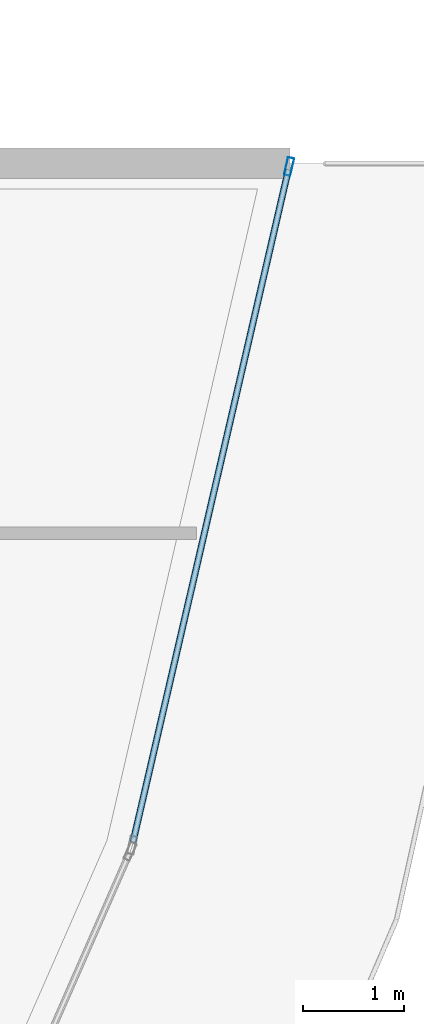
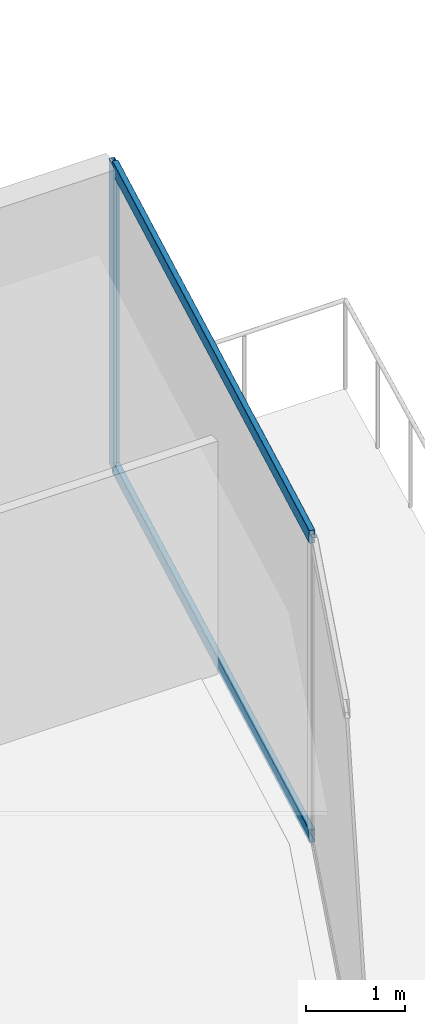
# One storey, part 26 of 44: 3 members, 1 element without a shape of its own.
"""IFC4 building model written with IfcOpenShell, lengths in metres."""

import ifcopenshell
import ifcopenshell.guid

model = None  # the IFC model being written
_history = None  # IfcOwnerHistory: only IFC2X3 demands one
_inside = {}  # id of a spatial element -> (the spatial element, [elements in it])
_under = {}  # id of a project, library or spatial element -> (it, [spatial elements below it])
_declared = {}  # id of a project -> (the project, [libraries it declares])
_typed = {}  # id of a type object -> (the type object, [elements of that type])
_made_of = {}  # id of a material, layer set ... -> (it, [elements and type objects made of it])


def new_model(schema):
    """Start an empty IFC model of exactly this schema.

    Asked for "IFC4X3", IfcOpenShell would pick the latest addendum, in which some entities
    have other attributes; the version numbers below select the first issue.
    IFC2X3 requires an IfcOwnerHistory on every rooted entity: one is made here for all.
    """
    global model, _history
    if schema == "IFC4X3":
        model = ifcopenshell.file(schema_version=(4, 3, 0, 0))
    else:
        model = ifcopenshell.file(schema=schema)
    _inside.clear()
    _under.clear()
    _declared.clear()
    _typed.clear()
    _made_of.clear()
    _history = None
    if model.schema == "IFC2X3":
        org = make("IfcOrganization", Name="unknown")
        user = make(
            "IfcPersonAndOrganization",
            ThePerson=make("IfcPerson", FamilyName="unknown"),
            TheOrganization=org,
        )
        app = make(
            "IfcApplication",
            ApplicationDeveloper=org,
            Version="unknown",
            ApplicationFullName="unknown",
            ApplicationIdentifier="unknown",
        )
        _history = make(
            "IfcOwnerHistory",
            OwningUser=user,
            OwningApplication=app,
            ChangeAction="ADDED",
            CreationDate=0,
        )
    return model


def make(cls, **values):
    """One entity of the class cls with the attributes given. An attribute that is None is left unset."""
    return model.create_entity(
        cls, **{name: value for name, value in values.items() if value is not None}
    )


def rooted(cls, **values):
    """An entity with a GlobalId (a new one), such as an element, a storey or a relation."""
    return make(cls, GlobalId=ifcopenshell.guid.new(), OwnerHistory=_history, **values)


def si_unit(unit_type, name, prefix=None):
    """IfcSIUnit, for example si_unit("LENGTHUNIT", "METRE", prefix="MILLI")."""
    return make("IfcSIUnit", UnitType=unit_type, Prefix=prefix, Name=name)


def assignment(units):
    """IfcUnitAssignment: the units of a project."""
    return None if units is None else make("IfcUnitAssignment", Units=units)


def point(xyz):
    """IfcCartesianPoint."""
    return None if xyz is None else make("IfcCartesianPoint", Coordinates=xyz)


def direction(xyz):
    """IfcDirection."""
    return None if xyz is None else make("IfcDirection", DirectionRatios=xyz)


def frame(location, z_axis=None, x_axis=None):
    """IfcAxis2Placement3D, a coordinate frame: its origin and axes. An axis left out is left unset."""
    return make(
        "IfcAxis2Placement3D",
        Location=point(location),
        Axis=direction(z_axis),
        RefDirection=direction(x_axis),
    )


def frame_2d(location, x_axis=None):
    """IfcAxis2Placement2D, a coordinate frame in the plane: its origin and x axis."""
    return make(
        "IfcAxis2Placement2D", Location=point(location), RefDirection=direction(x_axis)
    )


def origin():
    """The frame at (0, 0, 0) with its axes left unset."""
    return frame((0.0, 0.0, 0.0))


def origin_2d():
    """The frame at (0, 0) in the plane with its x axis left unset."""
    return frame_2d((0.0, 0.0))


def place(relative_to, where):
    """IfcLocalPlacement: puts the frame where relative to a parent placement (None: the world)."""
    return make(
        "IfcLocalPlacement", PlacementRelTo=relative_to, RelativePlacement=where
    )


def context(
    kind, dimensions, precision=None, world=None, true_north=None, identifier=None
):
    """IfcGeometricRepresentationContext, for example the 3D "Model" context."""
    return make(
        "IfcGeometricRepresentationContext",
        ContextIdentifier=identifier,
        ContextType=kind,
        CoordinateSpaceDimension=dimensions,
        Precision=precision,
        WorldCoordinateSystem=world,
        TrueNorth=true_north,
    )


def subcontext(parent, identifier, kind, view, scale=None):
    """IfcGeometricRepresentationSubContext, for example "Body" below "Model"."""
    return make(
        "IfcGeometricRepresentationSubContext",
        ContextIdentifier=identifier,
        ContextType=kind,
        ParentContext=parent,
        TargetScale=scale,
        TargetView=view,
    )


def project(units=None, contexts=None):
    """IfcProject with its units and contexts."""
    return rooted(
        "IfcProject",
        Name="project",
        RepresentationContexts=contexts,
        UnitsInContext=assignment(units),
    )


def spatial(cls, under=None, at=None, **own):
    """A site, building, storey or space (cls), placed at a placement, below another one or the project."""
    s = rooted(cls, ObjectPlacement=at, **own)
    if under is not None:
        _under.setdefault(under.id(), (under, []))[1].append(s)
    return s


def profile(cls, at=None, kind="AREA", **sizes):
    """A parametric profile (cls). Its sizes go by their IFC names, for example OverallWidth=200.0."""
    return make(cls, ProfileType=kind, Position=at, **sizes)


def hollow_rectangle(**sizes):
    """IfcRectangleHollowProfileDef."""
    return profile("IfcRectangleHollowProfileDef", **sizes)


def extrude(swept, where, along, depth):
    """IfcExtrudedAreaSolid: the profile swept, set in the frame where, extruded along a direction by depth."""
    return make(
        "IfcExtrudedAreaSolid",
        SweptArea=swept,
        Position=where,
        ExtrudedDirection=direction(along),
        Depth=depth,
    )


def shape(context_of_items, identifier, shape_type, items):
    """IfcShapeRepresentation: the items that make up one representation, for example the "Body"."""
    return make(
        "IfcShapeRepresentation",
        ContextOfItems=context_of_items,
        RepresentationIdentifier=identifier,
        RepresentationType=shape_type,
        Items=items,
    )


def material(Name=None, Category=None):
    """IfcMaterial."""
    return make("IfcMaterial", Name=Name, Category=Category)


def layer(
    of_material, thickness, ventilated=None, Name=None, Category=None, Priority=None
):
    """IfcMaterialLayer: one layer of a wall or slab, of a material (None: an air gap)."""
    return make(
        "IfcMaterialLayer",
        Material=of_material,
        LayerThickness=thickness,
        IsVentilated=ventilated,
        Name=Name,
        Category=Category,
        Priority=Priority,
    )


def layer_set(layers, Name=None):
    """IfcMaterialLayerSet."""
    return make("IfcMaterialLayerSet", MaterialLayers=layers, LayerSetName=Name)


def material_profile(
    of_material, cross_section, Name=None, Category=None, Priority=None
):
    """IfcMaterialProfile: a cross section and its material."""
    return make(
        "IfcMaterialProfile",
        Name=Name,
        Material=of_material,
        Profile=cross_section,
        Priority=Priority,
        Category=Category,
    )


def profile_set(profiles, Name=None, composite=None):
    """IfcMaterialProfileSet."""
    return make(
        "IfcMaterialProfileSet",
        Name=Name,
        MaterialProfiles=profiles,
        CompositeProfile=composite,
    )


def made_of(thing, what):
    """Note that an element or type object is made of a material, layer set ...; save() writes the relation."""
    if what is not None:
        _made_of.setdefault(what.id(), (what, []))[1].append(thing)
    return thing


def type_object(cls, material=None, **own):
    """A type object (cls), such as IfcWallType, which elements share."""
    return made_of(rooted(cls, **own), material)


def element(
    cls,
    number,
    at=None,
    inside=None,
    cuts=None,
    type_object=None,
    material=None,
    context=None,
    identifier="Body",
    shape_type=None,
    held_by="IfcProductDefinitionShape",
    body=None,
    shapes=None,
    **own,
):
    """One element of the class cls, such as IfcWall. Its Tag is "e" and its number.

    at: its placement. inside: the storey or other place that contains it. cuts: it is an
    opening in that element (IfcRelVoidsElement). A single representation is given by context,
    identifier, shape_type and body (its items); several are given by shapes. held_by: the class
    of the entity that holds the representations. save() writes the other relations.
    """
    e = rooted(cls, Tag="e%d" % number, ObjectPlacement=at, **own)
    if body is not None:
        shapes = [shape(context, identifier, shape_type, body)]
    if shapes is not None:
        e.Representation = make(held_by, Representations=shapes)
    if inside is not None:
        _inside.setdefault(inside.id(), (inside, []))[1].append(e)
    if cuts is not None:
        rooted(
            "IfcRelVoidsElement", RelatingBuildingElement=cuts, RelatedOpeningElement=e
        )
    if type_object is not None:
        _typed.setdefault(type_object.id(), (type_object, []))[1].append(e)
    return made_of(e, material)


def aggregate(whole, parts):
    """IfcRelAggregates: a whole, such as a stair, and the parts it consists of."""
    return rooted("IfcRelAggregates", RelatingObject=whole, RelatedObjects=parts)


def save(model, path):
    """Write the relations noted so far, then the file.

    IfcRelAggregates (storeys below a building ...), IfcRelContainedInSpatialStructure (elements
    in a storey), IfcRelDefinesByType, IfcRelAssociatesMaterial and IfcRelDeclares: one each for
    every whole, place, type object, material and project.
    """
    for whole, parts in _under.values():
        aggregate(whole, parts)
    for where, things in _inside.values():
        rooted(
            "IfcRelContainedInSpatialStructure",
            RelatedElements=things,
            RelatingStructure=where,
        )
    for kind, things in _typed.values():
        rooted("IfcRelDefinesByType", RelatedObjects=things, RelatingType=kind)
    for what, things in _made_of.values():
        rooted("IfcRelAssociatesMaterial", RelatedObjects=things, RelatingMaterial=what)
    for by, libraries in _declared.values():
        rooted("IfcRelDeclares", RelatingContext=by, RelatedDefinitions=libraries)
    model.write(path)


model = new_model("IFC4")

# Units and contexts
model_context = context("Model", 3, precision=1e-05, world=origin(), true_north=direction((0.0, 1.0)))
body_context = subcontext(model_context, "Body", "Model", "MODEL_VIEW")
ifc_project = project(units=[si_unit("LENGTHUNIT", "METRE"), si_unit("AREAUNIT", "SQUARE_METRE"), si_unit("VOLUMEUNIT", "CUBIC_METRE"), si_unit("PLANEANGLEUNIT", "RADIAN"), si_unit("MASSUNIT", "GRAM", prefix="KILO")], contexts=[model_context])

# Site, building, storey
site_placement = place(None, origin())
site = spatial("IfcSite", under=ifc_project, at=site_placement, CompositionType="ELEMENT")
building_placement = place(site_placement, origin())
building = spatial("IfcBuilding", under=site, at=building_placement, Name="Qorvath Tower", CompositionType="ELEMENT")
storey_placement = place(building_placement, frame((0.0, 0.0, 113.85009765625)))
storey = spatial("IfcBuildingStorey", under=building, at=storey_placement, Name="L25", CompositionType="ELEMENT", Elevation=113.85009765625)

# Curtain wall, members
ifc_material_1 = material(Name="Anodised aluminium and triple low-E glass", Category="aluminium")
ifc_layer = layer(ifc_material_1, 0.179931640625)
ifc_layer_set = layer_set([ifc_layer], Name="CW-SYS-2")
curtain_wall_type = type_object("IfcCurtainWallType", Name="CW-SYS-2", PredefinedType="NOTDEFINED", material=ifc_layer_set)
curtain_wall_placement = place(storey_placement, origin())
curtain_wall = element("IfcCurtainWall", 1, at=curtain_wall_placement, inside=storey, type_object=curtain_wall_type, Name="Curtain Wall CW-2 CW-T-L25-7.1", PredefinedType="NOTDEFINED")
ifc_material_2 = material(Name="Anodised aluminium 6063-T6", Category="aluminium")
ifc_material_profile_1 = material_profile(ifc_material_2, hollow_rectangle(XDim=0.06494140625, YDim=0.179931640625, WallThickness=0.00341796875, InnerFilletRadius=0.00341796875, OuterFilletRadius=0.007080078125, at=origin_2d()), Name="CWM 180x65")
ifc_profile_set_1 = profile_set([ifc_material_profile_1], Name="Anodised aluminium 6063-T6")
member_type_1 = type_object("IfcMemberType", Name="CWM-180", PredefinedType="MULLION", material=ifc_profile_set_1)
member_1_placement = place(storey_placement, frame((4.982177734375, -5.04296875, 0.0), z_axis=(0.0, 0.0, 1.0), x_axis=(-0.974312521641, 0.225200155801, 0.0)))
member_1 = element("IfcMember", 2, at=member_1_placement, type_object=member_type_1, Name="CW-2 mullion 2", PredefinedType="MULLION", context=body_context, shape_type="SweptSolid", body=[
    extrude(hollow_rectangle(XDim=0.06494140625, YDim=0.179931640625, WallThickness=0.00341796875, InnerFilletRadius=0.00341796875, OuterFilletRadius=0.007080078125, at=origin_2d()), origin(), (0.0, 0.0, 1.0), 3.77001953125),
])
ifc_material_3 = material(Name="Anodised aluminium 6063-T6", Category="aluminium")
ifc_material_profile_2 = material_profile(ifc_material_3, hollow_rectangle(XDim=0.06494140625, YDim=0.159912109375, WallThickness=0.00341796875, InnerFilletRadius=0.00341796875, OuterFilletRadius=0.007080078125, at=origin_2d()), Name="CWT 160x65")
ifc_profile_set_2 = profile_set([ifc_material_profile_2], Name="Anodised aluminium 6063-T6")
member_type_2 = type_object("IfcMemberType", Name="CWT-160", PredefinedType="USERDEFINED", material=ifc_profile_set_2)
member_2_placement = place(storey_placement, frame((3.43505859375, -11.736572265625, 0.032470703125), z_axis=(0.225190666486, 0.974314714929, 0.0), x_axis=(-0.974314714929, 0.225190666486, 0.0)))
member_2 = element("IfcMember", 3, at=member_2_placement, type_object=member_type_2, Name="CW-2 transom 1.1", ObjectType="TRANSOM", PredefinedType="USERDEFINED", context=body_context, shape_type="SweptSolid", body=[
    extrude(hollow_rectangle(XDim=0.06494140625, YDim=0.159912109375, WallThickness=0.00341796875, InnerFilletRadius=0.00341796875, OuterFilletRadius=0.007080078125, at=origin_2d()), origin(), (0.0, 0.0, 1.0), 6.837646484375),
])
member_3_placement = place(storey_placement, frame((3.43505859375, -11.736572265625, 3.737548828125), z_axis=(0.225190666486, 0.974314714929, 0.0), x_axis=(-0.974314714929, 0.225190666486, 0.0)))
member_3 = element("IfcMember", 4, at=member_3_placement, type_object=member_type_2, Name="CW-2 transom 1.2", ObjectType="TRANSOM", PredefinedType="USERDEFINED", context=body_context, shape_type="SweptSolid", body=[
    extrude(hollow_rectangle(XDim=0.06494140625, YDim=0.159912109375, WallThickness=0.00341796875, InnerFilletRadius=0.00341796875, OuterFilletRadius=0.007080078125, at=origin_2d()), origin(), (0.0, 0.0, 1.0), 6.837646484375),
])
aggregate(curtain_wall, [member_1, member_2, member_3])

save(model, "model.ifc")
